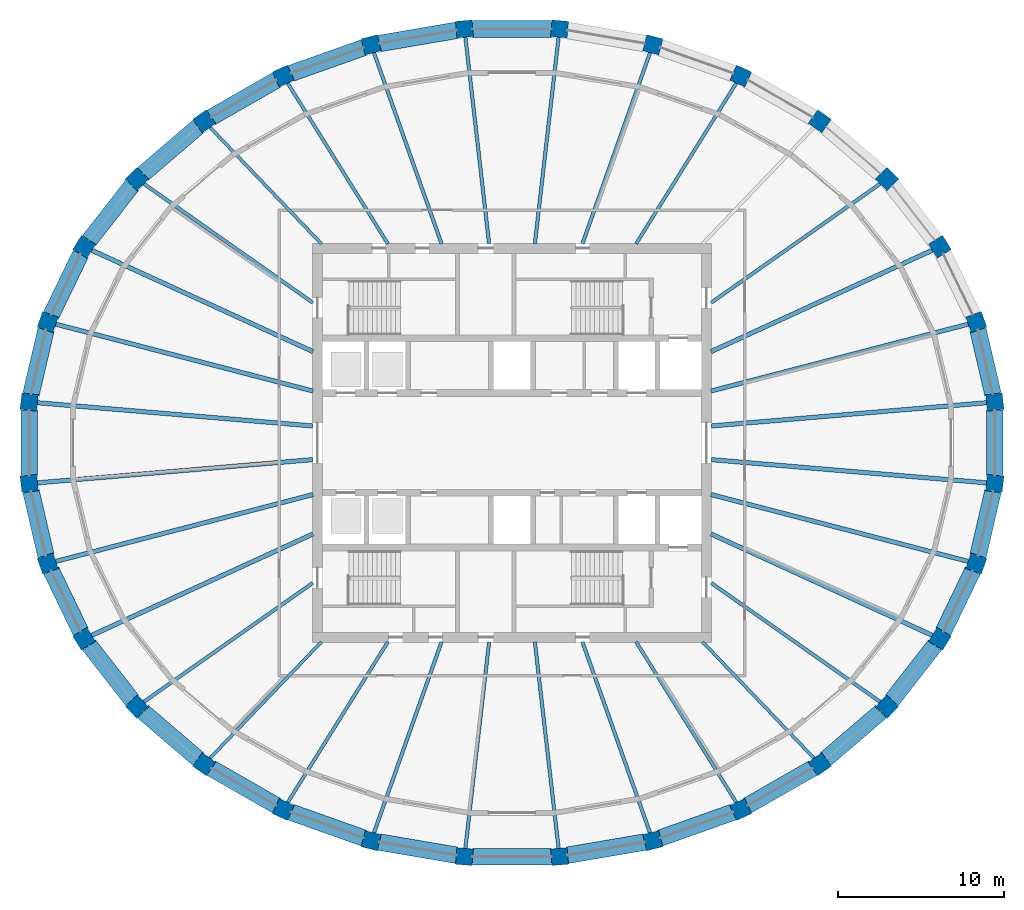
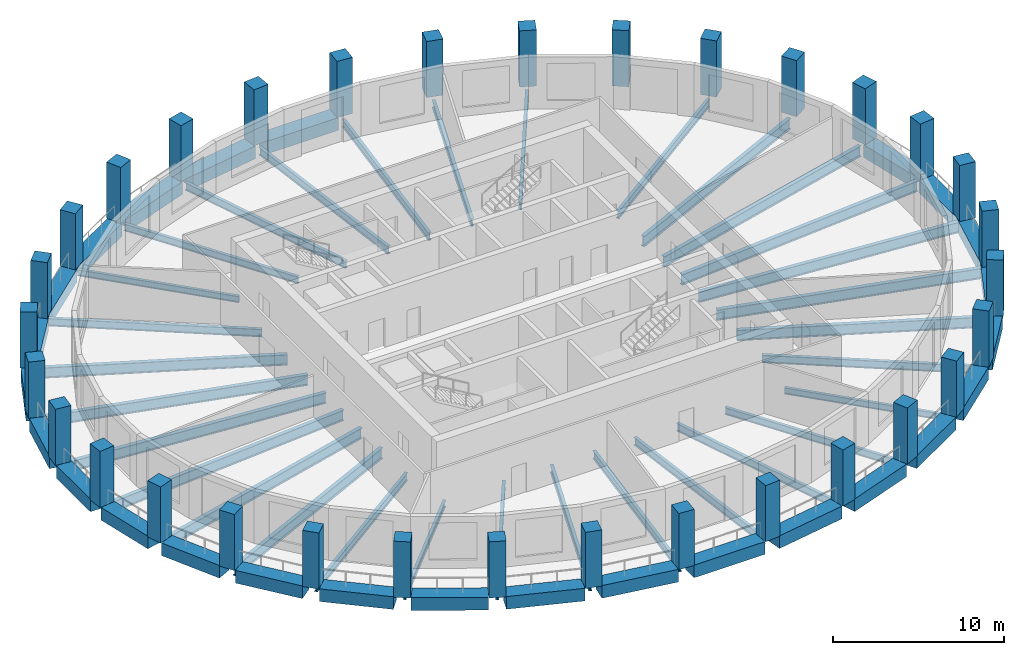
# One storey, part 1 of 10: 57 beams, 32 columns.
"""IFC4 building model written with IfcOpenShell, lengths in metres."""

import ifcopenshell
import ifcopenshell.guid

model = None  # the IFC model being written
_history = None  # IfcOwnerHistory: only IFC2X3 demands one
_inside = {}  # id of a spatial element -> (the spatial element, [elements in it])
_under = {}  # id of a project, library or spatial element -> (it, [spatial elements below it])
_declared = {}  # id of a project -> (the project, [libraries it declares])
_typed = {}  # id of a type object -> (the type object, [elements of that type])
_made_of = {}  # id of a material, layer set ... -> (it, [elements and type objects made of it])


def new_model(schema):
    """Start an empty IFC model of exactly this schema.

    Asked for "IFC4X3", IfcOpenShell would pick the latest addendum, in which some entities
    have other attributes; the version numbers below select the first issue.
    IFC2X3 requires an IfcOwnerHistory on every rooted entity: one is made here for all.
    """
    global model, _history
    if schema == "IFC4X3":
        model = ifcopenshell.file(schema_version=(4, 3, 0, 0))
    else:
        model = ifcopenshell.file(schema=schema)
    _inside.clear()
    _under.clear()
    _declared.clear()
    _typed.clear()
    _made_of.clear()
    _history = None
    if model.schema == "IFC2X3":
        org = make("IfcOrganization", Name="unknown")
        user = make(
            "IfcPersonAndOrganization",
            ThePerson=make("IfcPerson", FamilyName="unknown"),
            TheOrganization=org,
        )
        app = make(
            "IfcApplication",
            ApplicationDeveloper=org,
            Version="unknown",
            ApplicationFullName="unknown",
            ApplicationIdentifier="unknown",
        )
        _history = make(
            "IfcOwnerHistory",
            OwningUser=user,
            OwningApplication=app,
            ChangeAction="ADDED",
            CreationDate=0,
        )
    return model


def make(cls, **values):
    """One entity of the class cls with the attributes given. An attribute that is None is left unset."""
    return model.create_entity(
        cls, **{name: value for name, value in values.items() if value is not None}
    )


def rooted(cls, **values):
    """An entity with a GlobalId (a new one), such as an element, a storey or a relation."""
    return make(cls, GlobalId=ifcopenshell.guid.new(), OwnerHistory=_history, **values)


def si_unit(unit_type, name, prefix=None):
    """IfcSIUnit, for example si_unit("LENGTHUNIT", "METRE", prefix="MILLI")."""
    return make("IfcSIUnit", UnitType=unit_type, Prefix=prefix, Name=name)


def assignment(units):
    """IfcUnitAssignment: the units of a project."""
    return None if units is None else make("IfcUnitAssignment", Units=units)


def point(xyz):
    """IfcCartesianPoint."""
    return None if xyz is None else make("IfcCartesianPoint", Coordinates=xyz)


def direction(xyz):
    """IfcDirection."""
    return None if xyz is None else make("IfcDirection", DirectionRatios=xyz)


def frame(location, z_axis=None, x_axis=None):
    """IfcAxis2Placement3D, a coordinate frame: its origin and axes. An axis left out is left unset."""
    return make(
        "IfcAxis2Placement3D",
        Location=point(location),
        Axis=direction(z_axis),
        RefDirection=direction(x_axis),
    )


def frame_2d(location, x_axis=None):
    """IfcAxis2Placement2D, a coordinate frame in the plane: its origin and x axis."""
    return make(
        "IfcAxis2Placement2D", Location=point(location), RefDirection=direction(x_axis)
    )


def origin():
    """The frame at (0, 0, 0) with its axes left unset."""
    return frame((0.0, 0.0, 0.0))


def origin_2d():
    """The frame at (0, 0) in the plane with its x axis left unset."""
    return frame_2d((0.0, 0.0))


def place(relative_to, where):
    """IfcLocalPlacement: puts the frame where relative to a parent placement (None: the world)."""
    return make(
        "IfcLocalPlacement", PlacementRelTo=relative_to, RelativePlacement=where
    )


def context(
    kind, dimensions, precision=None, world=None, true_north=None, identifier=None
):
    """IfcGeometricRepresentationContext, for example the 3D "Model" context."""
    return make(
        "IfcGeometricRepresentationContext",
        ContextIdentifier=identifier,
        ContextType=kind,
        CoordinateSpaceDimension=dimensions,
        Precision=precision,
        WorldCoordinateSystem=world,
        TrueNorth=true_north,
    )


def subcontext(parent, identifier, kind, view, scale=None):
    """IfcGeometricRepresentationSubContext, for example "Body" below "Model"."""
    return make(
        "IfcGeometricRepresentationSubContext",
        ContextIdentifier=identifier,
        ContextType=kind,
        ParentContext=parent,
        TargetScale=scale,
        TargetView=view,
    )


def project(units=None, contexts=None):
    """IfcProject with its units and contexts."""
    return rooted(
        "IfcProject",
        Name="project",
        RepresentationContexts=contexts,
        UnitsInContext=assignment(units),
    )


def spatial(cls, under=None, at=None, **own):
    """A site, building, storey or space (cls), placed at a placement, below another one or the project."""
    s = rooted(cls, ObjectPlacement=at, **own)
    if under is not None:
        _under.setdefault(under.id(), (under, []))[1].append(s)
    return s


def profile(cls, at=None, kind="AREA", **sizes):
    """A parametric profile (cls). Its sizes go by their IFC names, for example OverallWidth=200.0."""
    return make(cls, ProfileType=kind, Position=at, **sizes)


def rectangle(**sizes):
    """IfcRectangleProfileDef."""
    return profile("IfcRectangleProfileDef", **sizes)


def i_section(**sizes):
    """IfcIShapeProfileDef."""
    return profile("IfcIShapeProfileDef", **sizes)


def extrude(swept, where, along, depth):
    """IfcExtrudedAreaSolid: the profile swept, set in the frame where, extruded along a direction by depth."""
    return make(
        "IfcExtrudedAreaSolid",
        SweptArea=swept,
        Position=where,
        ExtrudedDirection=direction(along),
        Depth=depth,
    )


def shape(context_of_items, identifier, shape_type, items):
    """IfcShapeRepresentation: the items that make up one representation, for example the "Body"."""
    return make(
        "IfcShapeRepresentation",
        ContextOfItems=context_of_items,
        RepresentationIdentifier=identifier,
        RepresentationType=shape_type,
        Items=items,
    )


def material(Name=None, Category=None):
    """IfcMaterial."""
    return make("IfcMaterial", Name=Name, Category=Category)


def material_profile(
    of_material, cross_section, Name=None, Category=None, Priority=None
):
    """IfcMaterialProfile: a cross section and its material."""
    return make(
        "IfcMaterialProfile",
        Name=Name,
        Material=of_material,
        Profile=cross_section,
        Priority=Priority,
        Category=Category,
    )


def profile_set(profiles, Name=None, composite=None):
    """IfcMaterialProfileSet."""
    return make(
        "IfcMaterialProfileSet",
        Name=Name,
        MaterialProfiles=profiles,
        CompositeProfile=composite,
    )


def made_of(thing, what):
    """Note that an element or type object is made of a material, layer set ...; save() writes the relation."""
    if what is not None:
        _made_of.setdefault(what.id(), (what, []))[1].append(thing)
    return thing


def type_object(cls, material=None, **own):
    """A type object (cls), such as IfcWallType, which elements share."""
    return made_of(rooted(cls, **own), material)


def element(
    cls,
    number,
    at=None,
    inside=None,
    cuts=None,
    type_object=None,
    material=None,
    context=None,
    identifier="Body",
    shape_type=None,
    held_by="IfcProductDefinitionShape",
    body=None,
    shapes=None,
    **own,
):
    """One element of the class cls, such as IfcWall. Its Tag is "e" and its number.

    at: its placement. inside: the storey or other place that contains it. cuts: it is an
    opening in that element (IfcRelVoidsElement). A single representation is given by context,
    identifier, shape_type and body (its items); several are given by shapes. held_by: the class
    of the entity that holds the representations. save() writes the other relations.
    """
    e = rooted(cls, Tag="e%d" % number, ObjectPlacement=at, **own)
    if body is not None:
        shapes = [shape(context, identifier, shape_type, body)]
    if shapes is not None:
        e.Representation = make(held_by, Representations=shapes)
    if inside is not None:
        _inside.setdefault(inside.id(), (inside, []))[1].append(e)
    if cuts is not None:
        rooted(
            "IfcRelVoidsElement", RelatingBuildingElement=cuts, RelatedOpeningElement=e
        )
    if type_object is not None:
        _typed.setdefault(type_object.id(), (type_object, []))[1].append(e)
    return made_of(e, material)


def aggregate(whole, parts):
    """IfcRelAggregates: a whole, such as a stair, and the parts it consists of."""
    return rooted("IfcRelAggregates", RelatingObject=whole, RelatedObjects=parts)


def save(model, path):
    """Write the relations noted so far, then the file.

    IfcRelAggregates (storeys below a building ...), IfcRelContainedInSpatialStructure (elements
    in a storey), IfcRelDefinesByType, IfcRelAssociatesMaterial and IfcRelDeclares: one each for
    every whole, place, type object, material and project.
    """
    for whole, parts in _under.values():
        aggregate(whole, parts)
    for where, things in _inside.values():
        rooted(
            "IfcRelContainedInSpatialStructure",
            RelatedElements=things,
            RelatingStructure=where,
        )
    for kind, things in _typed.values():
        rooted("IfcRelDefinesByType", RelatedObjects=things, RelatingType=kind)
    for what, things in _made_of.values():
        rooted("IfcRelAssociatesMaterial", RelatedObjects=things, RelatingMaterial=what)
    for by, libraries in _declared.values():
        rooted("IfcRelDeclares", RelatingContext=by, RelatedDefinitions=libraries)
    model.write(path)


model = new_model("IFC4")

# Units and contexts
model_context = context("Model", 3, precision=1e-05, world=origin(), true_north=direction((0.0, 1.0)))
body_context = subcontext(model_context, "Body", "Model", "MODEL_VIEW")
ifc_project = project(units=[si_unit("LENGTHUNIT", "METRE"), si_unit("AREAUNIT", "SQUARE_METRE"), si_unit("VOLUMEUNIT", "CUBIC_METRE"), si_unit("PLANEANGLEUNIT", "RADIAN"), si_unit("MASSUNIT", "GRAM", prefix="KILO")], contexts=[model_context])

# Site, building, storey
site_placement = place(None, origin())
site = spatial("IfcSite", under=ifc_project, at=site_placement, CompositionType="ELEMENT")
building_placement = place(site_placement, origin())
building = spatial("IfcBuilding", under=site, at=building_placement, Name="Halqa Exchange Tower", CompositionType="ELEMENT")
storey_placement = place(building_placement, frame((0.0, 0.0, 292.300048828125)))
storey = spatial("IfcBuildingStorey", under=building, at=storey_placement, Name="L68", CompositionType="ELEMENT", Elevation=292.300048828125)

# Columns
ifc_material_1 = material(Name="Concrete C50/60", Category="concrete")
ifc_material_profile_1 = material_profile(ifc_material_1, rectangle(XDim=1.0, YDim=1.0, at=origin_2d()), Name="1000 x 1000")
ifc_profile_set_1 = profile_set([ifc_material_profile_1], Name="Concrete C50/60")
column_type = type_object("IfcColumnType", Name="RC ring column 1000 x 1000 C50/60", PredefinedType="COLUMN", material=ifc_profile_set_1)
for number, where, z_axis, x_axis, name in (
    (1, (29.043701171875, 2.451904296875, 0.0), (0.0, 0.0, 1.0), (-0.114162123735, 0.993462132899, 0.0), "Ring column 1"),
    (2, (27.927490234375, 7.261474609375, 0.0), (0.0, 0.0, 1.0), (-0.33362752424, 0.942704977747, 0.0), "Ring column 2"),
    (3, (25.73828125, 11.7919921875, 0.0), (0.0, 0.0, 1.0), (-0.529141977228, 0.848533303964, 0.0), "Ring column 3"),
    (4, (22.559814453125, 15.869384765625, 0.0), (0.0, 0.0, 1.0), (-0.691574830638, 0.722304820438, 0.0), "Ring column 4"),
    (5, (18.514404296875, 19.3369140625, 0.0), (0.0, 0.0, 1.0), (-0.817905775493, 0.575352189893, 0.0), "Ring column 5"),
    (6, (13.75732421875, 22.061279296875, 0.0), (0.0, 0.0, 1.0), (-0.909128549752, 0.416515641994, 0.0), "Ring column 6"),
    (7, (8.4716796875, 23.93798828125, 0.0), (0.0, 0.0, 1.0), (-0.967821260364, 0.251638645656, 0.0), "Ring column 7"),
    (8, (2.860595703125, 24.89453125, 0.0), (0.0, 0.0, 1.0), (-0.996456106239, 0.084114376531, 0.0), "Ring column 8"),
    (9, (-2.860595703125, 24.89453125, 0.0), (0.0, 0.0, 1.0), (-0.996456106239, -0.084114376531, 0.0), "Ring column 9"),
    (10, (-8.4716796875, 23.93798828125, 0.0), (0.0, 0.0, 1.0), (-0.967821260364, -0.251638645656, 0.0), "Ring column 10"),
    (11, (-13.75732421875, 22.061279296875, 0.0), (0.0, 0.0, 1.0), (-0.909128549752, -0.416515641994, 0.0), "Ring column 11"),
    (12, (-18.514404296875, 19.3369140625, 0.0), (0.0, 0.0, 1.0), (-0.817905775493, -0.575352189893, 0.0), "Ring column 12"),
    (13, (-22.559814453125, 15.869384765625, 0.0), (0.0, 0.0, 1.0), (-0.691574830638, -0.722304820438, 0.0), "Ring column 13"),
    (14, (-25.73828125, 11.7919921875, 0.0), (0.0, 0.0, 1.0), (-0.529141977228, -0.848533303964, 0.0), "Ring column 14"),
    (15, (-27.927490234375, 7.261474609375, 0.0), (0.0, 0.0, 1.0), (-0.33362752424, -0.942704977747, 0.0), "Ring column 15"),
    (16, (-29.043701171875, 2.451904296875, 0.0), (0.0, 0.0, 1.0), (-0.114162123735, -0.993462132899, 0.0), "Ring column 16"),
    (17, (-29.043701171875, -2.451904296875, 0.0), (0.0, 0.0, 1.0), (0.114162123735, -0.993462132899, 0.0), "Ring column 17"),
    (18, (-27.927490234375, -7.261474609375, 0.0), (0.0, 0.0, 1.0), (0.33362752424, -0.942704977747, 0.0), "Ring column 18"),
    (19, (-25.73828125, -11.7919921875, 0.0), (0.0, 0.0, 1.0), (0.529141977228, -0.848533303964, 0.0), "Ring column 19"),
    (20, (-22.559814453125, -15.869384765625, 0.0), (0.0, 0.0, 1.0), (0.691574830638, -0.722304820438, 0.0), "Ring column 20"),
    (21, (-18.514404296875, -19.3369140625, 0.0), (0.0, 0.0, 1.0), (0.817905775493, -0.575352189893, 0.0), "Ring column 21"),
    (22, (-13.75732421875, -22.061279296875, 0.0), (0.0, 0.0, 1.0), (0.909128549752, -0.416515641994, 0.0), "Ring column 22"),
    (23, (-8.4716796875, -23.93798828125, 0.0), (0.0, 0.0, 1.0), (0.967821260364, -0.251638645656, 0.0), "Ring column 23"),
    (24, (-2.860595703125, -24.89453125, 0.0), (0.0, 0.0, 1.0), (0.996456106239, -0.084114376531, 0.0), "Ring column 24"),
    (25, (2.860595703125, -24.89453125, 0.0), (0.0, 0.0, 1.0), (0.996456106239, 0.084114376531, 0.0), "Ring column 25"),
    (26, (8.4716796875, -23.93798828125, 0.0), (0.0, 0.0, 1.0), (0.967821260364, 0.251638645656, 0.0), "Ring column 26"),
    (27, (13.75732421875, -22.061279296875, 0.0), (0.0, 0.0, 1.0), (0.909128549752, 0.416515641994, 0.0), "Ring column 27"),
    (28, (18.514404296875, -19.3369140625, 0.0), (0.0, 0.0, 1.0), (0.817905775493, 0.575352189893, 0.0), "Ring column 28"),
    (29, (22.559814453125, -15.869384765625, 0.0), (0.0, 0.0, 1.0), (0.691574830638, 0.722304820438, 0.0), "Ring column 29"),
    (30, (25.73828125, -11.7919921875, 0.0), (0.0, 0.0, 1.0), (0.529141977228, 0.848533303964, 0.0), "Ring column 30"),
    (31, (27.927490234375, -7.261474609375, 0.0), (0.0, 0.0, 1.0), (0.33362752424, 0.942704977747, 0.0), "Ring column 31"),
    (32, (29.043701171875, -2.451904296875, 0.0), (0.0, 0.0, 1.0), (0.114162123735, 0.993462132899, 0.0), "Ring column 32"),
):
    element("IfcColumn", number, at=place(storey_placement, frame(where, z_axis=z_axis, x_axis=x_axis)), inside=storey, type_object=column_type, Name=name, PredefinedType="COLUMN", context=body_context, shape_type="SweptSolid", body=[
        extrude(rectangle(XDim=1.0, YDim=1.0, at=origin_2d()), origin(), (0.0, 0.0, 1.0), 4.0),
    ])

# Beams
ifc_material_2 = material(Name="Steel S355", Category="steel")
ifc_material_profile_2 = material_profile(ifc_material_2, i_section(OverallWidth=0.18994140625, OverallDepth=0.449951171875, WebThickness=0.009521484375, FlangeThickness=0.0146484375, FilletRadius=0.02099609375, at=origin_2d()), Name="IPE 450")
ifc_profile_set_2 = profile_set([ifc_material_profile_2], Name="Steel S355")
beam_type_1 = type_object("IfcBeamType", Name="Floor beam IPE 450", PredefinedType="BEAM", material=ifc_profile_set_2)
for number, where, z_axis, x_axis, name in (
    (33, (-11.462890625, 11.97216796875, -0.525146484375), (-0.691588333375, 0.722291891924, 0.0), (-0.722291891924, -0.691588333375, 0.0), "Radial beam 12"),
    (34, (-11.462890625, -11.97216796875, -0.525146484375), (-0.691588333375, -0.722291891924, 0.0), (0.722291891924, -0.691588333375, 0.0), "Radial beam 21"),
    (35, (11.462890625, -11.97216796875, -0.525146484375), (0.691588333375, -0.722291891924, 0.0), (0.722291891924, 0.691588333375, 0.0), "Radial beam 28"),
):
    element("IfcBeam", number, at=place(storey_placement, frame(where, z_axis=z_axis, x_axis=x_axis)), inside=storey, type_object=beam_type_1, Name=name, PredefinedType="BEAM", context=body_context, shape_type="SweptSolid", body=[
        extrude(i_section(OverallWidth=0.18994140625, OverallDepth=0.449951171875, WebThickness=0.009521484375, FlangeThickness=0.0146484375, FilletRadius=0.02099609375, at=origin_2d()), origin(), (0.0, 0.0, 1.0), 9.820068359375),
    ])
ifc_material_profile_3 = material_profile(ifc_material_2, i_section(OverallWidth=0.199951171875, OverallDepth=0.5, WebThickness=0.01025390625, FlangeThickness=0.01611328125, FilletRadius=0.02099609375, at=origin_2d()), Name="IPE 500")
ifc_profile_set_3 = profile_set([ifc_material_profile_3], Name="Steel S355")
beam_type_2 = type_object("IfcBeamType", Name="Floor beam IPE 500", PredefinedType="BEAM", material=ifc_profile_set_3)
for number, where, z_axis, x_axis, name in (
    (36, (7.4658203125, 11.97216796875, -0.550048828125), (0.529140986863, 0.84853392155, 0.0), (-0.84853392155, 0.529140986863, 0.0), "Radial beam 6"),
    (37, (-7.4658203125, 11.97216796875, -0.550048828125), (-0.529140986863, 0.84853392155, 0.0), (-0.84853392155, -0.529140986863, 0.0), "Radial beam 11"),
    (38, (-7.4658203125, -11.97216796875, -0.550048828125), (-0.529140986863, -0.84853392155, 0.0), (0.84853392155, -0.529140986863, 0.0), "Radial beam 22"),
    (39, (7.4658203125, -11.97216796875, -0.550048828125), (0.529140986863, -0.84853392155, 0.0), (0.84853392155, 0.529140986863, 0.0), "Radial beam 27"),
):
    element("IfcBeam", number, at=place(storey_placement, frame(where, z_axis=z_axis, x_axis=x_axis)), inside=storey, type_object=beam_type_2, Name=name, PredefinedType="BEAM", context=body_context, shape_type="SweptSolid", body=[
        extrude(i_section(OverallWidth=0.199951171875, OverallDepth=0.5, WebThickness=0.01025390625, FlangeThickness=0.01611328125, FilletRadius=0.02099609375, at=origin_2d()), origin(), (0.0, 0.0, 1.0), 11.513916015625),
    ])
ifc_material_profile_4 = material_profile(ifc_material_2, i_section(OverallWidth=0.2099609375, OverallDepth=0.550048828125, WebThickness=0.010986328125, FlangeThickness=0.01708984375, FilletRadius=0.02392578125, at=origin_2d()), Name="IPE 550")
ifc_profile_set_4 = profile_set([ifc_material_profile_4], Name="Steel S355")
beam_type_3 = type_object("IfcBeamType", Name="Floor beam IPE 550", PredefinedType="BEAM", material=ifc_profile_set_4)
beam_1_placement = place(storey_placement, frame((11.97265625, 8.422119140625, -0.574951171875), z_axis=(0.817911036207, 0.575344711326, 0.0), x_axis=(-0.575344711326, 0.817911036207, 0.0)))
element("IfcBeam", 40, at=beam_1_placement, inside=storey, type_object=beam_type_3, Name="Radial beam 4", PredefinedType="BEAM", context=body_context, shape_type="SweptSolid", body=[
    extrude(i_section(OverallWidth=0.2099609375, OverallDepth=0.550048828125, WebThickness=0.010986328125, FlangeThickness=0.01708984375, FilletRadius=0.02392578125, at=origin_2d()), origin(), (0.0, 0.0, 1.0), 12.568115234375),
])
beam_2_placement = place(storey_placement, frame((4.23681640625, 11.971923828125, -0.574951171875), z_axis=(0.333635823511, 0.942702040557, 0.0), x_axis=(-0.942702040557, 0.333635823511, 0.0)))
element("IfcBeam", 41, at=beam_2_placement, inside=storey, type_object=beam_type_3, Name="Radial beam 7", PredefinedType="BEAM", context=body_context, shape_type="SweptSolid", body=[
    extrude(i_section(OverallWidth=0.2099609375, OverallDepth=0.550048828125, WebThickness=0.010986328125, FlangeThickness=0.01708984375, FilletRadius=0.02392578125, at=origin_2d()), origin(), (0.0, 0.0, 1.0), 12.319091796875),
])
for number, where, z_axis, x_axis, name in (
    (42, (1.375732421875, 11.9716796875, -0.574951171875), (0.114150341895, 0.99346348672, 0.0), (-0.99346348672, 0.114150341895, 0.0), "Radial beam 8"),
    (43, (-1.375732421875, 11.9716796875, -0.574951171875), (-0.114150341895, 0.99346348672, 0.0), (-0.99346348672, -0.114150341895, 0.0), "Radial beam 9"),
):
    element("IfcBeam", number, at=place(storey_placement, frame(where, z_axis=z_axis, x_axis=x_axis)), inside=storey, type_object=beam_type_3, Name=name, PredefinedType="BEAM", context=body_context, shape_type="SweptSolid", body=[
        extrude(i_section(OverallWidth=0.2099609375, OverallDepth=0.550048828125, WebThickness=0.010986328125, FlangeThickness=0.01708984375, FilletRadius=0.02392578125, at=origin_2d()), origin(), (0.0, 0.0, 1.0), 12.6357421875),
    ])
beam_3_placement = place(storey_placement, frame((-4.23681640625, 11.971923828125, -0.574951171875), z_axis=(-0.333635823511, 0.942702040557, 0.0), x_axis=(-0.942702040557, -0.333635823511, 0.0)))
element("IfcBeam", 44, at=beam_3_placement, inside=storey, type_object=beam_type_3, Name="Radial beam 10", PredefinedType="BEAM", context=body_context, shape_type="SweptSolid", body=[
    extrude(i_section(OverallWidth=0.2099609375, OverallDepth=0.550048828125, WebThickness=0.010986328125, FlangeThickness=0.01708984375, FilletRadius=0.02392578125, at=origin_2d()), origin(), (0.0, 0.0, 1.0), 12.319091796875),
])
for number, where, z_axis, x_axis, name in (
    (45, (-11.97265625, 8.422119140625, -0.574951171875), (-0.817911036207, 0.575344711326, 0.0), (-0.575344711326, -0.817911036207, 0.0), "Radial beam 13"),
    (46, (-11.97265625, -8.422119140625, -0.574951171875), (-0.817911036207, -0.575344711326, 0.0), (0.575344711326, -0.817911036207, 0.0), "Radial beam 20"),
):
    element("IfcBeam", number, at=place(storey_placement, frame(where, z_axis=z_axis, x_axis=x_axis)), inside=storey, type_object=beam_type_3, Name=name, PredefinedType="BEAM", context=body_context, shape_type="SweptSolid", body=[
        extrude(i_section(OverallWidth=0.2099609375, OverallDepth=0.550048828125, WebThickness=0.010986328125, FlangeThickness=0.01708984375, FilletRadius=0.02392578125, at=origin_2d()), origin(), (0.0, 0.0, 1.0), 12.568115234375),
    ])
beam_4_placement = place(storey_placement, frame((-4.23681640625, -11.971923828125, -0.574951171875), z_axis=(-0.333635823511, -0.942702040557, 0.0), x_axis=(0.942702040557, -0.333635823511, 0.0)))
element("IfcBeam", 47, at=beam_4_placement, inside=storey, type_object=beam_type_3, Name="Radial beam 23", PredefinedType="BEAM", context=body_context, shape_type="SweptSolid", body=[
    extrude(i_section(OverallWidth=0.2099609375, OverallDepth=0.550048828125, WebThickness=0.010986328125, FlangeThickness=0.01708984375, FilletRadius=0.02392578125, at=origin_2d()), origin(), (0.0, 0.0, 1.0), 12.319091796875),
])
for number, where, z_axis, x_axis, name in (
    (48, (-1.375732421875, -11.9716796875, -0.574951171875), (-0.114150341895, -0.99346348672, 0.0), (0.99346348672, -0.114150341895, 0.0), "Radial beam 24"),
    (49, (1.375732421875, -11.9716796875, -0.574951171875), (0.114150341895, -0.99346348672, 0.0), (0.99346348672, 0.114150341895, 0.0), "Radial beam 25"),
):
    element("IfcBeam", number, at=place(storey_placement, frame(where, z_axis=z_axis, x_axis=x_axis)), inside=storey, type_object=beam_type_3, Name=name, PredefinedType="BEAM", context=body_context, shape_type="SweptSolid", body=[
        extrude(i_section(OverallWidth=0.2099609375, OverallDepth=0.550048828125, WebThickness=0.010986328125, FlangeThickness=0.01708984375, FilletRadius=0.02392578125, at=origin_2d()), origin(), (0.0, 0.0, 1.0), 12.6357421875),
    ])
beam_5_placement = place(storey_placement, frame((4.23681640625, -11.971923828125, -0.574951171875), z_axis=(0.333635823511, -0.942702040557, 0.0), x_axis=(0.942702040557, 0.333635823511, 0.0)))
element("IfcBeam", 50, at=beam_5_placement, inside=storey, type_object=beam_type_3, Name="Radial beam 26", PredefinedType="BEAM", context=body_context, shape_type="SweptSolid", body=[
    extrude(i_section(OverallWidth=0.2099609375, OverallDepth=0.550048828125, WebThickness=0.010986328125, FlangeThickness=0.01708984375, FilletRadius=0.02392578125, at=origin_2d()), origin(), (0.0, 0.0, 1.0), 12.319091796875),
])
beam_6_placement = place(storey_placement, frame((11.97265625, -8.422119140625, -0.574951171875), z_axis=(0.817911036207, -0.575344711326, 0.0), x_axis=(0.575344711326, 0.817911036207, 0.0)))
element("IfcBeam", 51, at=beam_6_placement, inside=storey, type_object=beam_type_3, Name="Radial beam 29", PredefinedType="BEAM", context=body_context, shape_type="SweptSolid", body=[
    extrude(i_section(OverallWidth=0.2099609375, OverallDepth=0.550048828125, WebThickness=0.010986328125, FlangeThickness=0.01708984375, FilletRadius=0.02392578125, at=origin_2d()), origin(), (0.0, 0.0, 1.0), 12.568115234375),
])
ifc_material_profile_5 = material_profile(ifc_material_2, i_section(OverallWidth=0.264892578125, OverallDepth=0.7529296875, WebThickness=0.01318359375, FlangeThickness=0.01708984375, FilletRadius=0.01708984375, at=origin_2d()), Name="IPE 750x147")
ifc_profile_set_5 = profile_set([ifc_material_profile_5], Name="Steel S355")
beam_type_4 = type_object("IfcBeamType", Name="Floor beam IPE 750x147", PredefinedType="BEAM", material=ifc_profile_set_5)
beam_7_placement = place(storey_placement, frame((11.972900390625, 1.0107421875, -0.676513671875), z_axis=(0.996455157538, 0.084125614508, 0.0), x_axis=(-0.084125614508, 0.996455157538, 0.0)))
element("IfcBeam", 52, at=beam_7_placement, inside=storey, type_object=beam_type_4, Name="Radial beam 1", PredefinedType="BEAM", context=body_context, shape_type="SweptSolid", body=[
    extrude(i_section(OverallWidth=0.264892578125, OverallDepth=0.7529296875, WebThickness=0.01318359375, FlangeThickness=0.01708984375, FilletRadius=0.01708984375, at=origin_2d()), origin(), (0.0, 0.0, 1.0), 16.759521484375),
])
beam_8_placement = place(storey_placement, frame((11.97265625, 3.113037109375, -0.676513671875), z_axis=(0.967817635261, 0.251652587662, 0.0), x_axis=(-0.251652587662, 0.967817635261, 0.0)))
element("IfcBeam", 53, at=beam_8_placement, inside=storey, type_object=beam_type_4, Name="Radial beam 2", PredefinedType="BEAM", context=body_context, shape_type="SweptSolid", body=[
    extrude(i_section(OverallWidth=0.264892578125, OverallDepth=0.7529296875, WebThickness=0.01318359375, FlangeThickness=0.01708984375, FilletRadius=0.01708984375, at=origin_2d()), origin(), (0.0, 0.0, 1.0), 16.111328125),
])
for number, where, z_axis, x_axis, name in (
    (54, (11.972412109375, 5.485107421875, -0.676513671875), (0.909124046838, 0.416525470363, 0.0), (-0.416525470363, 0.909124046838, 0.0), "Radial beam 3"),
    (55, (-11.972412109375, 5.485107421875, -0.676513671875), (-0.909124046838, 0.416525470363, 0.0), (-0.416525470363, -0.909124046838, 0.0), "Radial beam 14"),
):
    element("IfcBeam", number, at=place(storey_placement, frame(where, z_axis=z_axis, x_axis=x_axis)), inside=storey, type_object=beam_type_4, Name=name, PredefinedType="BEAM", context=body_context, shape_type="SweptSolid", body=[
        extrude(i_section(OverallWidth=0.264892578125, OverallDepth=0.7529296875, WebThickness=0.01318359375, FlangeThickness=0.01708984375, FilletRadius=0.01708984375, at=origin_2d()), origin(), (0.0, 0.0, 1.0), 14.765869140625),
    ])
beam_9_placement = place(storey_placement, frame((-11.97265625, 3.113037109375, -0.676513671875), z_axis=(-0.967817635261, 0.251652587662, 0.0), x_axis=(-0.251652587662, -0.967817635261, 0.0)))
element("IfcBeam", 56, at=beam_9_placement, inside=storey, type_object=beam_type_4, Name="Radial beam 15", PredefinedType="BEAM", context=body_context, shape_type="SweptSolid", body=[
    extrude(i_section(OverallWidth=0.264892578125, OverallDepth=0.7529296875, WebThickness=0.01318359375, FlangeThickness=0.01708984375, FilletRadius=0.01708984375, at=origin_2d()), origin(), (0.0, 0.0, 1.0), 16.111328125),
])
for number, where, z_axis, x_axis, name in (
    (57, (-11.972900390625, 1.0107421875, -0.676513671875), (-0.996455157538, 0.084125614508, 0.0), (-0.084125614508, -0.996455157538, 0.0), "Radial beam 16"),
    (58, (-11.972900390625, -1.0107421875, -0.676513671875), (-0.996455157538, -0.084125614508, 0.0), (0.084125614508, -0.996455157538, 0.0), "Radial beam 17"),
):
    element("IfcBeam", number, at=place(storey_placement, frame(where, z_axis=z_axis, x_axis=x_axis)), inside=storey, type_object=beam_type_4, Name=name, PredefinedType="BEAM", context=body_context, shape_type="SweptSolid", body=[
        extrude(i_section(OverallWidth=0.264892578125, OverallDepth=0.7529296875, WebThickness=0.01318359375, FlangeThickness=0.01708984375, FilletRadius=0.01708984375, at=origin_2d()), origin(), (0.0, 0.0, 1.0), 16.759521484375),
    ])
beam_10_placement = place(storey_placement, frame((-11.97265625, -3.113037109375, -0.676513671875), z_axis=(-0.967817635261, -0.251652587662, 0.0), x_axis=(0.251652587662, -0.967817635261, 0.0)))
element("IfcBeam", 59, at=beam_10_placement, inside=storey, type_object=beam_type_4, Name="Radial beam 18", PredefinedType="BEAM", context=body_context, shape_type="SweptSolid", body=[
    extrude(i_section(OverallWidth=0.264892578125, OverallDepth=0.7529296875, WebThickness=0.01318359375, FlangeThickness=0.01708984375, FilletRadius=0.01708984375, at=origin_2d()), origin(), (0.0, 0.0, 1.0), 16.111328125),
])
for number, where, z_axis, x_axis, name in (
    (60, (-11.972412109375, -5.485107421875, -0.676513671875), (-0.909124046838, -0.416525470363, 0.0), (0.416525470363, -0.909124046838, 0.0), "Radial beam 19"),
    (61, (11.972412109375, -5.485107421875, -0.676513671875), (0.909124046838, -0.416525470363, 0.0), (0.416525470363, 0.909124046838, 0.0), "Radial beam 30"),
):
    element("IfcBeam", number, at=place(storey_placement, frame(where, z_axis=z_axis, x_axis=x_axis)), inside=storey, type_object=beam_type_4, Name=name, PredefinedType="BEAM", context=body_context, shape_type="SweptSolid", body=[
        extrude(i_section(OverallWidth=0.264892578125, OverallDepth=0.7529296875, WebThickness=0.01318359375, FlangeThickness=0.01708984375, FilletRadius=0.01708984375, at=origin_2d()), origin(), (0.0, 0.0, 1.0), 14.765869140625),
    ])
beam_11_placement = place(storey_placement, frame((11.97265625, -3.113037109375, -0.676513671875), z_axis=(0.967817635261, -0.251652587662, 0.0), x_axis=(0.251652587662, 0.967817635261, 0.0)))
element("IfcBeam", 62, at=beam_11_placement, inside=storey, type_object=beam_type_4, Name="Radial beam 31", PredefinedType="BEAM", context=body_context, shape_type="SweptSolid", body=[
    extrude(i_section(OverallWidth=0.264892578125, OverallDepth=0.7529296875, WebThickness=0.01318359375, FlangeThickness=0.01708984375, FilletRadius=0.01708984375, at=origin_2d()), origin(), (0.0, 0.0, 1.0), 16.111328125),
])
beam_12_placement = place(storey_placement, frame((11.972900390625, -1.0107421875, -0.676513671875), z_axis=(0.996455157538, -0.084125614508, 0.0), x_axis=(0.084125614508, 0.996455157538, 0.0)))
element("IfcBeam", 63, at=beam_12_placement, inside=storey, type_object=beam_type_4, Name="Radial beam 32", PredefinedType="BEAM", context=body_context, shape_type="SweptSolid", body=[
    extrude(i_section(OverallWidth=0.264892578125, OverallDepth=0.7529296875, WebThickness=0.01318359375, FlangeThickness=0.01708984375, FilletRadius=0.01708984375, at=origin_2d()), origin(), (0.0, 0.0, 1.0), 16.759521484375),
])
ifc_material_3 = material(Name="Concrete C60/75", Category="concrete")
ifc_material_profile_6 = material_profile(ifc_material_3, rectangle(XDim=1.0, YDim=0.89990234375, at=origin_2d()), Name="1000 x 900")
ifc_profile_set_6 = profile_set([ifc_material_profile_6], Name="Concrete C60/75")
beam_type_5 = type_object("IfcBeamType", Name="RC spandrel beam 1000 x 900 C60/75", PredefinedType="SPANDREL", material=ifc_profile_set_6)
beam_13_placement = place(storey_placement, frame((28.936279296875, 2.91455078125, -0.449951171875), z_axis=(-0.226066435944, 0.974111886048, 0.0), x_axis=(-0.974111886048, -0.226066435944, 0.0)))
element("IfcBeam", 64, at=beam_13_placement, inside=storey, type_object=beam_type_5, Name="Spandrel 1", PredefinedType="SPANDREL", context=body_context, shape_type="SweptSolid", body=[
    extrude(rectangle(XDim=1.0, YDim=0.89990234375, at=origin_2d()), origin(), (0.0, 0.0, 1.0), 3.98828125),
])
beam_14_placement = place(storey_placement, frame((2.38671875, 24.89453125, -0.449951171875), z_axis=(-1.0, 0.0, 0.0), x_axis=(0.0, -1.0, 0.0)))
element("IfcBeam", 65, at=beam_14_placement, inside=storey, type_object=beam_type_5, Name="Spandrel 8", PredefinedType="SPANDREL", context=body_context, shape_type="SweptSolid", body=[
    extrude(rectangle(XDim=1.0, YDim=0.89990234375, at=origin_2d()), origin(), (0.0, 0.0, 1.0), 4.7734375),
])
beam_15_placement = place(storey_placement, frame((-3.327880859375, 24.814697265625, -0.449951171875), z_axis=(-0.985779293953, -0.168045183248, 0.0), x_axis=(0.168045183248, -0.985779293953, 0.0)))
element("IfcBeam", 66, at=beam_15_placement, inside=storey, type_object=beam_type_5, Name="Spandrel 9", PredefinedType="SPANDREL", context=body_context, shape_type="SweptSolid", body=[
    extrude(rectangle(XDim=1.0, YDim=0.89990234375, at=origin_2d()), origin(), (0.0, 0.0, 1.0), 4.743408203125),
])
beam_16_placement = place(storey_placement, frame((-8.91748046875, 23.779541015625, -0.449951171875), z_axis=(-0.942367036973, -0.334580883535, 0.0), x_axis=(0.334580883535, -0.942367036973, 0.0)))
element("IfcBeam", 67, at=beam_16_placement, inside=storey, type_object=beam_type_5, Name="Spandrel 10", PredefinedType="SPANDREL", context=body_context, shape_type="SweptSolid", body=[
    extrude(rectangle(XDim=1.0, YDim=0.89990234375, at=origin_2d()), origin(), (0.0, 0.0, 1.0), 4.662109375),
])
beam_17_placement = place(storey_placement, frame((-14.169189453125, 21.825439453125, -0.449951171875), z_axis=(-0.867765502357, -0.496973875489, 0.0), x_axis=(0.496973875489, -0.867765502357, 0.0)))
element("IfcBeam", 68, at=beam_17_placement, inside=storey, type_object=beam_type_5, Name="Spandrel 11", PredefinedType="SPANDREL", context=body_context, shape_type="SweptSolid", body=[
    extrude(rectangle(XDim=1.0, YDim=0.89990234375, at=origin_2d()), origin(), (0.0, 0.0, 1.0), 4.533203125),
])
beam_18_placement = place(storey_placement, frame((-18.875, 19.02783203125, -0.449951171875), z_axis=(-0.759244795716, -0.650805147627, 0.0), x_axis=(0.650805147627, -0.759244795716, 0.0)))
element("IfcBeam", 69, at=beam_18_placement, inside=storey, type_object=beam_type_5, Name="Spandrel 12", PredefinedType="SPANDREL", context=body_context, shape_type="SweptSolid", body=[
    extrude(rectangle(XDim=1.0, YDim=0.89990234375, at=origin_2d()), origin(), (0.0, 0.0, 1.0), 4.37890625),
])
beam_19_placement = place(storey_placement, frame((-22.850830078125, 15.49560546875, -0.449951171875), z_axis=(-0.614849113514, -0.788644766426, 0.0), x_axis=(0.788644766426, -0.614849113514, 0.0)))
element("IfcBeam", 70, at=beam_19_placement, inside=storey, type_object=beam_type_5, Name="Spandrel 13", PredefinedType="SPANDREL", context=body_context, shape_type="SweptSolid", body=[
    extrude(rectangle(XDim=1.0, YDim=0.89990234375, at=origin_2d()), origin(), (0.0, 0.0, 1.0), 4.22119140625),
])
beam_20_placement = place(storey_placement, frame((-25.944580078125, 11.364990234375, -0.449951171875), z_axis=(-0.435091897701, -0.900386050844, 0.0), x_axis=(0.900386050844, -0.435091897701, 0.0)))
element("IfcBeam", 71, at=beam_20_placement, inside=storey, type_object=beam_type_5, Name="Spandrel 14", PredefinedType="SPANDREL", context=body_context, shape_type="SweptSolid", body=[
    extrude(rectangle(XDim=1.0, YDim=0.89990234375, at=origin_2d()), origin(), (0.0, 0.0, 1.0), 4.082275390625),
])
beam_21_placement = place(storey_placement, frame((-28.03466796875, 6.799560546875, -0.449951171875), z_axis=(-0.226066435944, -0.974111886048, 0.0), x_axis=(0.974111886048, -0.226066435944, 0.0)))
element("IfcBeam", 72, at=beam_21_placement, inside=storey, type_object=beam_type_5, Name="Spandrel 15", PredefinedType="SPANDREL", context=body_context, shape_type="SweptSolid", body=[
    extrude(rectangle(XDim=1.0, YDim=0.89990234375, at=origin_2d()), origin(), (0.0, 0.0, 1.0), 3.98828125),
])
beam_22_placement = place(storey_placement, frame((-29.043701171875, 1.9765625, -0.449951171875), z_axis=(0.0, -1.0, 0.0), x_axis=(1.0, 0.0, 0.0)))
element("IfcBeam", 73, at=beam_22_placement, inside=storey, type_object=beam_type_5, Name="Spandrel 16", PredefinedType="SPANDREL", context=body_context, shape_type="SweptSolid", body=[
    extrude(rectangle(XDim=1.0, YDim=0.89990234375, at=origin_2d()), origin(), (0.0, 0.0, 1.0), 3.953125),
])
beam_23_placement = place(storey_placement, frame((-28.936279296875, -2.91455078125, -0.449951171875), z_axis=(0.226066435944, -0.974111886048, 0.0), x_axis=(0.974111886048, 0.226066435944, 0.0)))
element("IfcBeam", 74, at=beam_23_placement, inside=storey, type_object=beam_type_5, Name="Spandrel 17", PredefinedType="SPANDREL", context=body_context, shape_type="SweptSolid", body=[
    extrude(rectangle(XDim=1.0, YDim=0.89990234375, at=origin_2d()), origin(), (0.0, 0.0, 1.0), 3.98828125),
])
beam_24_placement = place(storey_placement, frame((-27.720703125, -7.689453125, -0.449951171875), z_axis=(0.435091897701, -0.900386050844, 0.0), x_axis=(0.900386050844, 0.435091897701, 0.0)))
element("IfcBeam", 75, at=beam_24_placement, inside=storey, type_object=beam_type_5, Name="Spandrel 18", PredefinedType="SPANDREL", context=body_context, shape_type="SweptSolid", body=[
    extrude(rectangle(XDim=1.0, YDim=0.89990234375, at=origin_2d()), origin(), (0.0, 0.0, 1.0), 4.082275390625),
])
beam_25_placement = place(storey_placement, frame((-25.4462890625, -12.16650390625, -0.449951171875), z_axis=(0.614849113514, -0.788644766426, 0.0), x_axis=(0.788644766426, 0.614849113514, 0.0)))
element("IfcBeam", 76, at=beam_25_placement, inside=storey, type_object=beam_type_5, Name="Spandrel 19", PredefinedType="SPANDREL", context=body_context, shape_type="SweptSolid", body=[
    extrude(rectangle(XDim=1.0, YDim=0.89990234375, at=origin_2d()), origin(), (0.0, 0.0, 1.0), 4.22119140625),
])
beam_26_placement = place(storey_placement, frame((-22.19970703125, -16.177978515625, -0.449951171875), z_axis=(0.759244795716, -0.650805147627, 0.0), x_axis=(0.650805147627, 0.759244795716, 0.0)))
element("IfcBeam", 77, at=beam_26_placement, inside=storey, type_object=beam_type_5, Name="Spandrel 20", PredefinedType="SPANDREL", context=body_context, shape_type="SweptSolid", body=[
    extrude(rectangle(XDim=1.0, YDim=0.89990234375, at=origin_2d()), origin(), (0.0, 0.0, 1.0), 4.37890625),
])
beam_27_placement = place(storey_placement, frame((-18.10302734375, -19.572509765625, -0.449951171875), z_axis=(0.867765502357, -0.496973875489, 0.0), x_axis=(0.496973875489, 0.867765502357, 0.0)))
element("IfcBeam", 78, at=beam_27_placement, inside=storey, type_object=beam_type_5, Name="Spandrel 21", PredefinedType="SPANDREL", context=body_context, shape_type="SweptSolid", body=[
    extrude(rectangle(XDim=1.0, YDim=0.89990234375, at=origin_2d()), origin(), (0.0, 0.0, 1.0), 4.533203125),
])
beam_28_placement = place(storey_placement, frame((-13.310791015625, -22.2197265625, -0.449951171875), z_axis=(0.942367036973, -0.334580883535, 0.0), x_axis=(0.334580883535, 0.942367036973, 0.0)))
element("IfcBeam", 79, at=beam_28_placement, inside=storey, type_object=beam_type_5, Name="Spandrel 22", PredefinedType="SPANDREL", context=body_context, shape_type="SweptSolid", body=[
    extrude(rectangle(XDim=1.0, YDim=0.89990234375, at=origin_2d()), origin(), (0.0, 0.0, 1.0), 4.662109375),
])
beam_29_placement = place(storey_placement, frame((-8.00390625, -24.017578125, -0.449951171875), z_axis=(0.985779293953, -0.168045183248, 0.0), x_axis=(0.168045183248, 0.985779293953, 0.0)))
element("IfcBeam", 80, at=beam_29_placement, inside=storey, type_object=beam_type_5, Name="Spandrel 23", PredefinedType="SPANDREL", context=body_context, shape_type="SweptSolid", body=[
    extrude(rectangle(XDim=1.0, YDim=0.89990234375, at=origin_2d()), origin(), (0.0, 0.0, 1.0), 4.743408203125),
])
beam_30_placement = place(storey_placement, frame((-2.38671875, -24.89453125, -0.449951171875), z_axis=(1.0, 0.0, 0.0), x_axis=(0.0, 1.0, 0.0)))
element("IfcBeam", 81, at=beam_30_placement, inside=storey, type_object=beam_type_5, Name="Spandrel 24", PredefinedType="SPANDREL", context=body_context, shape_type="SweptSolid", body=[
    extrude(rectangle(XDim=1.0, YDim=0.89990234375, at=origin_2d()), origin(), (0.0, 0.0, 1.0), 4.7734375),
])
beam_31_placement = place(storey_placement, frame((3.327880859375, -24.814697265625, -0.449951171875), z_axis=(0.985779293953, 0.168045183248, 0.0), x_axis=(-0.168045183248, 0.985779293953, 0.0)))
element("IfcBeam", 82, at=beam_31_placement, inside=storey, type_object=beam_type_5, Name="Spandrel 25", PredefinedType="SPANDREL", context=body_context, shape_type="SweptSolid", body=[
    extrude(rectangle(XDim=1.0, YDim=0.89990234375, at=origin_2d()), origin(), (0.0, 0.0, 1.0), 4.743408203125),
])
beam_32_placement = place(storey_placement, frame((8.91748046875, -23.779541015625, -0.449951171875), z_axis=(0.942367036973, 0.334580883535, 0.0), x_axis=(-0.334580883535, 0.942367036973, 0.0)))
element("IfcBeam", 83, at=beam_32_placement, inside=storey, type_object=beam_type_5, Name="Spandrel 26", PredefinedType="SPANDREL", context=body_context, shape_type="SweptSolid", body=[
    extrude(rectangle(XDim=1.0, YDim=0.89990234375, at=origin_2d()), origin(), (0.0, 0.0, 1.0), 4.662109375),
])
beam_33_placement = place(storey_placement, frame((14.169189453125, -21.825439453125, -0.449951171875), z_axis=(0.867765502357, 0.496973875489, 0.0), x_axis=(-0.496973875489, 0.867765502357, 0.0)))
element("IfcBeam", 84, at=beam_33_placement, inside=storey, type_object=beam_type_5, Name="Spandrel 27", PredefinedType="SPANDREL", context=body_context, shape_type="SweptSolid", body=[
    extrude(rectangle(XDim=1.0, YDim=0.89990234375, at=origin_2d()), origin(), (0.0, 0.0, 1.0), 4.533203125),
])
beam_34_placement = place(storey_placement, frame((18.875, -19.02783203125, -0.449951171875), z_axis=(0.759244795716, 0.650805147627, 0.0), x_axis=(-0.650805147627, 0.759244795716, 0.0)))
element("IfcBeam", 85, at=beam_34_placement, inside=storey, type_object=beam_type_5, Name="Spandrel 28", PredefinedType="SPANDREL", context=body_context, shape_type="SweptSolid", body=[
    extrude(rectangle(XDim=1.0, YDim=0.89990234375, at=origin_2d()), origin(), (0.0, 0.0, 1.0), 4.37890625),
])
beam_35_placement = place(storey_placement, frame((22.850830078125, -15.49560546875, -0.449951171875), z_axis=(0.614849113514, 0.788644766426, 0.0), x_axis=(-0.788644766426, 0.614849113514, 0.0)))
element("IfcBeam", 86, at=beam_35_placement, inside=storey, type_object=beam_type_5, Name="Spandrel 29", PredefinedType="SPANDREL", context=body_context, shape_type="SweptSolid", body=[
    extrude(rectangle(XDim=1.0, YDim=0.89990234375, at=origin_2d()), origin(), (0.0, 0.0, 1.0), 4.22119140625),
])
beam_36_placement = place(storey_placement, frame((25.944580078125, -11.364990234375, -0.449951171875), z_axis=(0.435091897701, 0.900386050844, 0.0), x_axis=(-0.900386050844, 0.435091897701, 0.0)))
element("IfcBeam", 87, at=beam_36_placement, inside=storey, type_object=beam_type_5, Name="Spandrel 30", PredefinedType="SPANDREL", context=body_context, shape_type="SweptSolid", body=[
    extrude(rectangle(XDim=1.0, YDim=0.89990234375, at=origin_2d()), origin(), (0.0, 0.0, 1.0), 4.082275390625),
])
beam_37_placement = place(storey_placement, frame((28.03466796875, -6.799560546875, -0.449951171875), z_axis=(0.226066435944, 0.974111886048, 0.0), x_axis=(-0.974111886048, 0.226066435944, 0.0)))
element("IfcBeam", 88, at=beam_37_placement, inside=storey, type_object=beam_type_5, Name="Spandrel 31", PredefinedType="SPANDREL", context=body_context, shape_type="SweptSolid", body=[
    extrude(rectangle(XDim=1.0, YDim=0.89990234375, at=origin_2d()), origin(), (0.0, 0.0, 1.0), 3.98828125),
])
beam_38_placement = place(storey_placement, frame((29.043701171875, -1.9765625, -0.449951171875), z_axis=(0.0, 1.0, 0.0), x_axis=(-1.0, 0.0, 0.0)))
element("IfcBeam", 89, at=beam_38_placement, inside=storey, type_object=beam_type_5, Name="Spandrel 32", PredefinedType="SPANDREL", context=body_context, shape_type="SweptSolid", body=[
    extrude(rectangle(XDim=1.0, YDim=0.89990234375, at=origin_2d()), origin(), (0.0, 0.0, 1.0), 3.953125),
])

save(model, "model.ifc")
